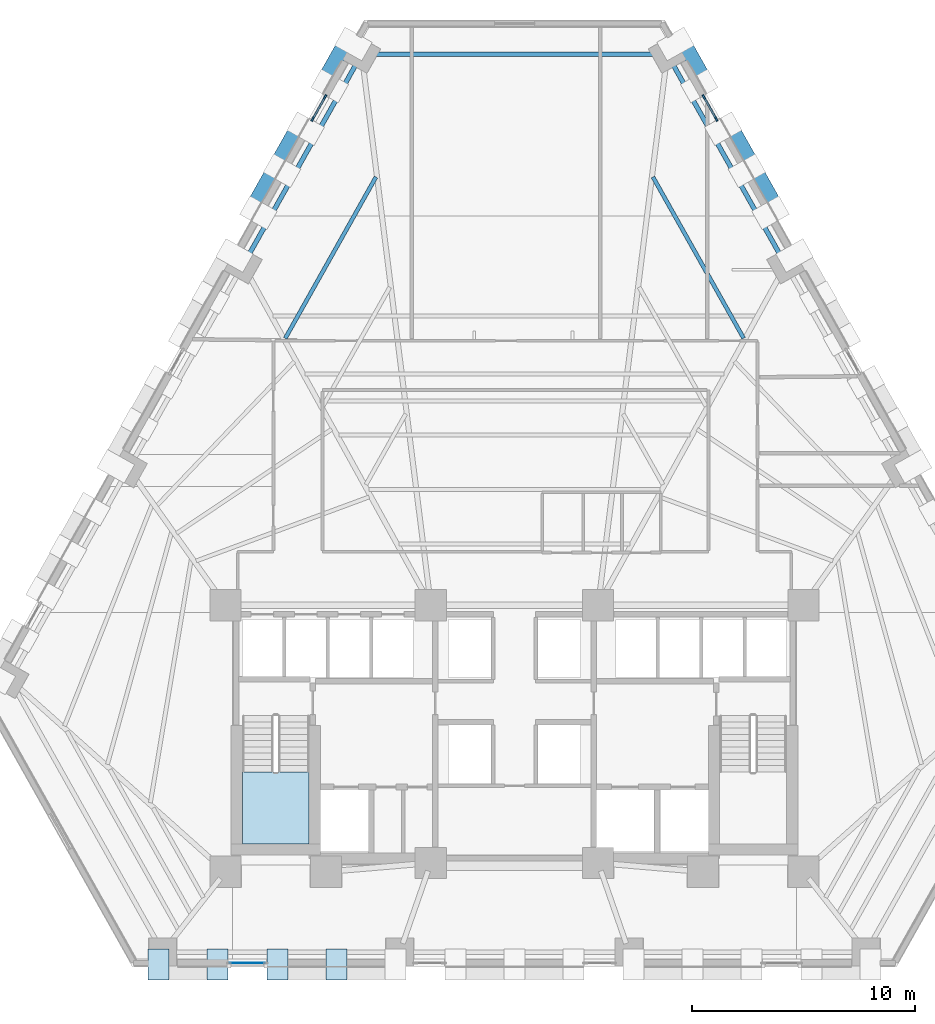
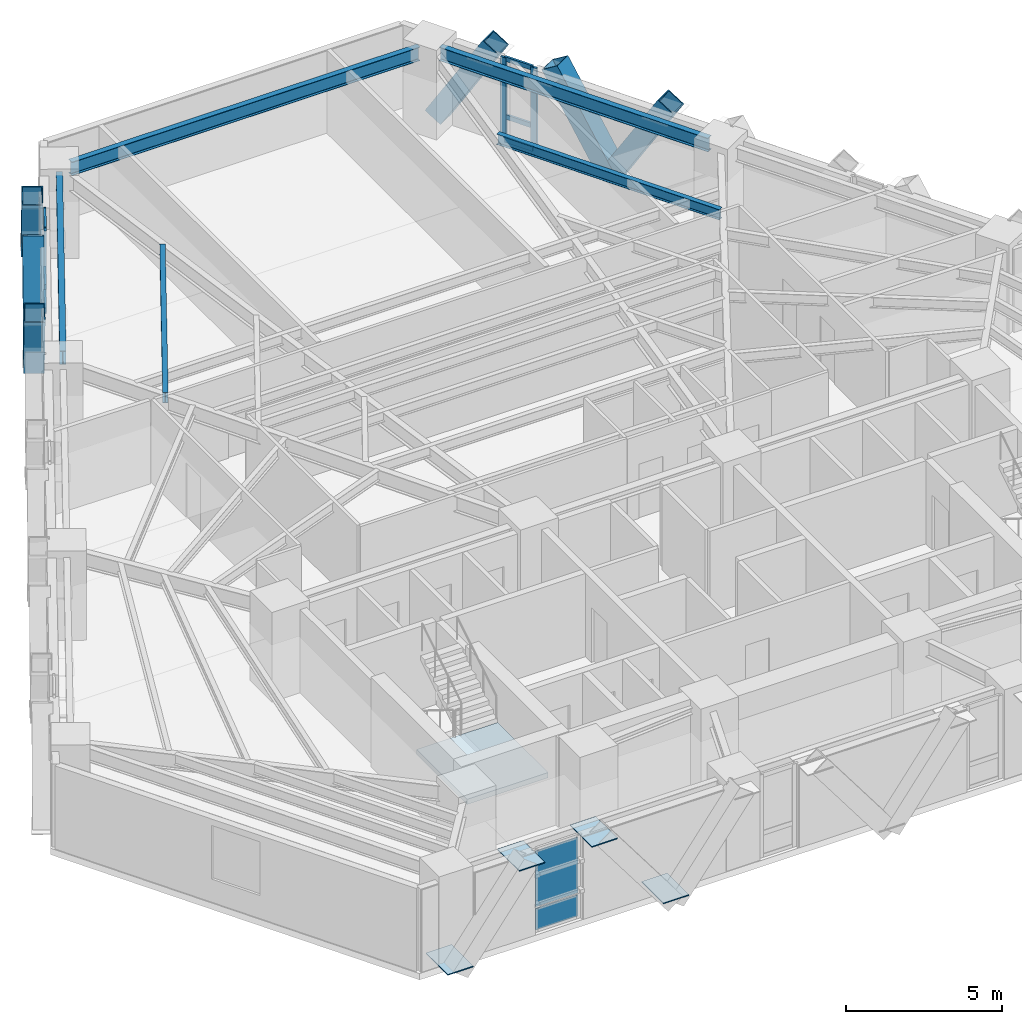
# One storey, part 5 of 13: 16 members, 6 plates, 5 beams, 1 slab, 4 elements without a shape of their own.
"""IFC4 building model written with IfcOpenShell, lengths in metres."""

from ifc_helpers import new_model, si_unit, direction, frame, origin, origin_2d, place, context, subcontext, project, spatial, polyline, rectangle, hollow_rectangle, i_section, outline, extrude, material, layer, layer_set, material_profile, profile_set, type_object, element, aggregate, save


model = new_model("IFC4")

# Units and contexts
model_context = context("Model", 3, precision=1e-05, world=origin(), true_north=direction((0.0, 1.0)))
body_context = subcontext(model_context, "Body", "Model", "MODEL_VIEW")
ifc_project = project(units=[si_unit("LENGTHUNIT", "METRE"), si_unit("AREAUNIT", "SQUARE_METRE"), si_unit("VOLUMEUNIT", "CUBIC_METRE"), si_unit("PLANEANGLEUNIT", "RADIAN"), si_unit("MASSUNIT", "GRAM", prefix="KILO")], contexts=[model_context])

# Site, building, storey
site_placement = place(None, origin())
site = spatial("IfcSite", under=ifc_project, at=site_placement, CompositionType="ELEMENT")
building_placement = place(site_placement, origin())
building = spatial("IfcBuilding", under=site, at=building_placement, Name="Quenlor Broadcast Tower", CompositionType="ELEMENT")
storey_placement = place(building_placement, frame((0.0, 0.0, 69.60009765625)))
storey = spatial("IfcBuildingStorey", under=building, at=storey_placement, Name="L18", CompositionType="ELEMENT", Elevation=69.60009765625)

# Curtain wall, members
ifc_material_1 = material(Name="Architectural Terracotta and Low-E Glazing", Category="masonry")
curtain_wall_type = type_object("IfcCurtainWallType", Name="Unitised Terracotta Curtain Wall System Z1", PredefinedType="NOTDEFINED", material=ifc_material_1)
curtain_wall_1_placement = place(storey_placement, origin())
curtain_wall_1 = element("IfcCurtainWall", 1, at=curtain_wall_1_placement, inside=storey, type_object=curtain_wall_type, Name="L18 Curtain Wall CW1 (L18-NEA-G1)", PredefinedType="NOTDEFINED")
ifc_material_2 = material(Name="Aluminium 6063-T6", Category="aluminium")
ifc_material_profile_1 = material_profile(ifc_material_2, rectangle(XDim=0.080078125, YDim=0.219970703125, at=origin_2d()))
ifc_profile_set_1 = profile_set([ifc_material_profile_1], Name="Aluminium 6063-T6 MULL80x220")
member_type_1 = type_object("IfcMemberType", Name="CW1 Aluminium Mullion MULL_CW1", PredefinedType="MULLION", material=ifc_profile_set_1)
member_1_placement = place(storey_placement, frame((8.489990234375, 17.97998046875, 0.0), z_axis=(0.0, 0.0, 1.0), x_axis=(0.871566703483, 0.490276943553, 0.0)))
member_1 = element("IfcMember", 2, at=member_1_placement, type_object=member_type_1, Name="CW1 mullion 1", PredefinedType="MULLION", context=body_context, shape_type="SweptSolid", body=[
    extrude(rectangle(XDim=0.080078125, YDim=0.219970703125, at=origin_2d()), origin(), (0.0, 0.0, 1.0), 3.25),
])
member_2_placement = place(storey_placement, frame((9.043701171875, 16.995849609375, 0.0), z_axis=(0.0, 0.0, 1.0), x_axis=(0.871566703483, 0.490276943553, 0.0)))
member_2 = element("IfcMember", 3, at=member_2_placement, type_object=member_type_1, Name="CW1 mullion 2", PredefinedType="MULLION", context=body_context, shape_type="SweptSolid", body=[
    extrude(rectangle(XDim=0.080078125, YDim=0.219970703125, at=origin_2d()), origin(), (0.0, 0.0, 1.0), 3.25),
])

curtain_wall_2_placement = place(storey_placement, origin())
curtain_wall_2 = element("IfcCurtainWall", 4, at=curtain_wall_2_placement, inside=storey, type_object=curtain_wall_type, Name="L18 Curtain Wall CW1 (L18-NWC-G1)", PredefinedType="NOTDEFINED")
member_3_placement = place(storey_placement, frame((-9.043701171875, 16.995849609375, 0.0), z_axis=(0.0, 0.0, 1.0), x_axis=(-0.871566703483, 0.490276943553, 0.0)))
member_3 = element("IfcMember", 5, at=member_3_placement, type_object=member_type_1, Name="CW1 mullion 1", PredefinedType="MULLION", context=body_context, shape_type="SweptSolid", body=[
    extrude(rectangle(XDim=0.080078125, YDim=0.219970703125, at=origin_2d()), origin(), (0.0, 0.0, 1.0), 3.25),
])
member_4_placement = place(storey_placement, frame((-8.489990234375, 17.97998046875, 0.0), z_axis=(0.0, 0.0, 1.0), x_axis=(-0.871566703483, 0.490276943553, 0.0)))
member_4 = element("IfcMember", 6, at=member_4_placement, type_object=member_type_1, Name="CW1 mullion 2", PredefinedType="MULLION", context=body_context, shape_type="SweptSolid", body=[
    extrude(rectangle(XDim=0.080078125, YDim=0.219970703125, at=origin_2d()), origin(), (0.0, 0.0, 1.0), 3.25),
])

# Member
ifc_material_3 = material(Name="Aluminium 6063-T6", Category="aluminium")
ifc_material_profile_2 = material_profile(ifc_material_3, rectangle(XDim=0.080078125, YDim=0.179931640625, at=origin_2d()))
ifc_profile_set_2 = profile_set([ifc_material_profile_2], Name="Aluminium 6063-T6 TRAN80x180")
member_type_2 = type_object("IfcMemberType", Name="CW1 Aluminium Transom TRAN_CW1", PredefinedType="USERDEFINED", material=ifc_profile_set_2)
member_5_placement = place(storey_placement, frame((8.509765625, 17.945068359375, 0.039794921875), z_axis=(0.490239146026, -0.87158796441, 0.0), x_axis=(0.87158796441, 0.490239146026, 0.0)))
member_5 = element("IfcMember", 7, at=member_5_placement, type_object=member_type_2, Name="CW1 transom 1.1", ObjectType="TRANSOM", PredefinedType="USERDEFINED", context=body_context, shape_type="SweptSolid", body=[
    extrude(rectangle(XDim=0.080078125, YDim=0.179931640625, at=origin_2d()), origin(), (0.0, 0.0, 1.0), 1.04931640625),
])

member_6_placement = place(storey_placement, frame((8.509765625, 17.945068359375, 0.949951171875), z_axis=(0.490239146026, -0.87158796441, 0.0), x_axis=(0.87158796441, 0.490239146026, 0.0)))
member_6 = element("IfcMember", 8, at=member_6_placement, type_object=member_type_2, Name="CW1 transom 1.2", ObjectType="TRANSOM", PredefinedType="USERDEFINED", context=body_context, shape_type="SweptSolid", body=[
    extrude(rectangle(XDim=0.080078125, YDim=0.179931640625, at=origin_2d()), origin(), (0.0, 0.0, 1.0), 1.04931640625),
])

member_7_placement = place(storey_placement, frame((8.509765625, 17.945068359375, 3.2099609375), z_axis=(0.490239146026, -0.87158796441, 0.0), x_axis=(0.87158796441, 0.490239146026, 0.0)))
member_7 = element("IfcMember", 9, at=member_7_placement, type_object=member_type_2, Name="CW1 transom 1.3", ObjectType="TRANSOM", PredefinedType="USERDEFINED", context=body_context, shape_type="SweptSolid", body=[
    extrude(rectangle(XDim=0.080078125, YDim=0.179931640625, at=origin_2d()), origin(), (0.0, 0.0, 1.0), 1.04931640625),
])

aggregate(curtain_wall_1, [member_1, member_2, member_5, member_6, member_7])

member_8_placement = place(storey_placement, frame((-9.024169921875, 17.030517578125, 0.039794921875), z_axis=(0.490239146026, 0.87158796441, 0.0), x_axis=(-0.87158796441, 0.490239146026, 0.0)))
member_8 = element("IfcMember", 10, at=member_8_placement, type_object=member_type_2, Name="CW1 transom 1.1", ObjectType="TRANSOM", PredefinedType="USERDEFINED", context=body_context, shape_type="SweptSolid", body=[
    extrude(rectangle(XDim=0.080078125, YDim=0.179931640625, at=origin_2d()), origin(), (0.0, 0.0, 1.0), 1.04931640625),
])

member_9_placement = place(storey_placement, frame((-9.024169921875, 17.030517578125, 0.949951171875), z_axis=(0.490239146026, 0.87158796441, 0.0), x_axis=(-0.87158796441, 0.490239146026, 0.0)))
member_9 = element("IfcMember", 11, at=member_9_placement, type_object=member_type_2, Name="CW1 transom 1.2", ObjectType="TRANSOM", PredefinedType="USERDEFINED", context=body_context, shape_type="SweptSolid", body=[
    extrude(rectangle(XDim=0.080078125, YDim=0.179931640625, at=origin_2d()), origin(), (0.0, 0.0, 1.0), 1.04931640625),
])

member_10_placement = place(storey_placement, frame((-9.024169921875, 17.030517578125, 3.2099609375), z_axis=(0.490239146026, 0.87158796441, 0.0), x_axis=(-0.87158796441, 0.490239146026, 0.0)))
member_10 = element("IfcMember", 12, at=member_10_placement, type_object=member_type_2, Name="CW1 transom 1.3", ObjectType="TRANSOM", PredefinedType="USERDEFINED", context=body_context, shape_type="SweptSolid", body=[
    extrude(rectangle(XDim=0.080078125, YDim=0.179931640625, at=origin_2d()), origin(), (0.0, 0.0, 1.0), 1.04931640625),
])

aggregate(curtain_wall_2, [member_3, member_4, member_8, member_9, member_10])

# Members
ifc_material_4 = material(Name="Steel S355", Category="steel")
ifc_material_profile_3 = material_profile(ifc_material_4, hollow_rectangle(XDim=0.679931640625, YDim=0.679931640625, WallThickness=0.034912109375, at=origin_2d()))
ifc_profile_set_3 = profile_set([ifc_material_profile_3], Name="Steel S355 RHS680x680x35")
member_type_3 = type_object("IfcMemberType", Name="Perimeter Diagonal Lattice Brace Z1 Steel S355 RHS680x35", PredefinedType="BRACE", material=ifc_profile_set_3)
for number, where, z_axis, x_axis, name in (
    (13, (7.519287109375, 20.51171875, -0.1201171875), (0.256375341489, -0.45579159737, 0.852364771705), (0.871581609758, 0.490250443683, 0.0), "L18 Perimeter Diamond Lattice NE-C1S"),
    (14, (10.703125, 14.851318359375, -0.1201171875), (-0.256375341489, 0.45579159737, 0.852364771705), (-0.871581609758, -0.490250443683, 0.0), "L18 Perimeter Diamond Lattice NE-C1B"),
    (15, (10.716064453125, 14.82861328125, -0.1201171875), (0.256375341489, -0.45579159737, 0.852364771705), (0.871581609758, 0.490250443683, 0.0), "L18 Perimeter Diamond Lattice NE-C2S"),
    (16, (-10.716064453125, 14.82861328125, -0.1201171875), (-0.256375341489, -0.45579159737, 0.852364771705), (0.871581609758, -0.490250443683, 0.0), "L18 Perimeter Diamond Lattice NW-C4B"),
    (17, (-10.703125, 14.851318359375, -0.1201171875), (0.256375341489, 0.45579159737, 0.852364771705), (-0.871581609758, 0.490250443683, 0.0), "L18 Perimeter Diamond Lattice NW-C5S"),
    (18, (-7.519287109375, 20.51171875, -0.1201171875), (-0.256375341489, -0.45579159737, 0.852364771705), (0.871581609758, -0.490250443683, 0.0), "L18 Perimeter Diamond Lattice NW-C5B"),
):
    element("IfcMember", number, at=place(storey_placement, frame(where, z_axis=z_axis, x_axis=x_axis)), inside=storey, type_object=member_type_3, Name=name, PredefinedType="BRACE", context=body_context, shape_type="SweptSolid", body=[
        extrude(hollow_rectangle(XDim=0.679931640625, YDim=0.679931640625, WallThickness=0.034912109375, at=origin_2d()), origin(), (0.0, 0.0, 1.0), 4.106201171875),
    ])

# Beams
ifc_material_5 = material(Name="Steel S355", Category="steel")
ifc_material_profile_4 = material_profile(ifc_material_5, i_section(OverallWidth=0.208984375, OverallDepth=0.532958984375, WebThickness=0.01025390625, FlangeThickness=0.015625, FilletRadius=0.013916015625, at=origin_2d()))
ifc_profile_set_4 = profile_set([ifc_material_profile_4], Name="Steel S355 530UB92.4")
beam_type_1 = type_object("IfcBeamType", Name="Perimeter Spandrel Beam Z1 Steel S355 530UB92.4", PredefinedType="SPANDREL", material=ifc_profile_set_4)
beam_1_placement = place(storey_placement, frame((11.962158203125, 10.80810546875, 2.9833984375), z_axis=(-0.490257767622, 0.871577490121, 0.0), x_axis=(-0.871577490121, -0.490257767622, 0.0)))
element("IfcBeam", 19, at=beam_1_placement, inside=storey, type_object=beam_type_1, Name="L18 Spandrel Beam NE3-NE4", PredefinedType="SPANDREL", context=body_context, shape_type="SweptSolid", body=[
    extrude(i_section(OverallWidth=0.208984375, OverallDepth=0.532958984375, WebThickness=0.01025390625, FlangeThickness=0.015625, FilletRadius=0.013916015625, at=origin_2d()), origin(), (0.0, 0.0, 1.0), 10.015380859375),
])
beam_2_placement = place(storey_placement, frame((6.44091796875, 19.894775390625, 2.9833984375), z_axis=(-1.0, 0.0, 0.0), x_axis=(0.0, -1.0, 0.0)))
element("IfcBeam", 20, at=beam_2_placement, inside=storey, type_object=beam_type_1, Name="L18 Spandrel Beam NE4-NW1", PredefinedType="SPANDREL", context=body_context, shape_type="SweptSolid", body=[
    extrude(i_section(OverallWidth=0.208984375, OverallDepth=0.532958984375, WebThickness=0.01025390625, FlangeThickness=0.015625, FilletRadius=0.013916015625, at=origin_2d()), origin(), (0.0, 0.0, 1.0), 12.8818359375),
])
beam_3_placement = place(storey_placement, frame((-7.052001953125, 19.537353515625, 2.9833984375), z_axis=(-0.490257767622, -0.871577490121, 0.0), x_axis=(0.871577490121, -0.490257767622, 0.0)))
element("IfcBeam", 21, at=beam_3_placement, inside=storey, type_object=beam_type_1, Name="L18 Spandrel Beam NW1-NW2", PredefinedType="SPANDREL", context=body_context, shape_type="SweptSolid", body=[
    extrude(i_section(OverallWidth=0.208984375, OverallDepth=0.532958984375, WebThickness=0.01025390625, FlangeThickness=0.015625, FilletRadius=0.013916015625, at=origin_2d()), origin(), (0.0, 0.0, 1.0), 10.015380859375),
])
ifc_material_6 = material(Name="Steel S355", Category="steel")
ifc_material_profile_5 = material_profile(ifc_material_6, i_section(OverallWidth=0.177978515625, OverallDepth=0.406494140625, WebThickness=0.0078125, FlangeThickness=0.0126953125, FilletRadius=0.011474609375, at=origin_2d()))
ifc_profile_set_5 = profile_set([ifc_material_profile_5], Name="Steel S355 410UB59.7")
beam_type_2 = type_object("IfcBeamType", Name="Tower Composite Joist Z1 Steel S355 410UB59.7", PredefinedType="JOIST", material=ifc_profile_set_5)
for number, where, z_axis, x_axis, name in (
    (22, (-6.2080078125, 14.39208984375, 3.046630859375), (-0.490248658014, -0.871582614166, 0.0), (0.871582614166, -0.490248658014, 0.0), "L18 Secondary Composite Joist 27"),
    (23, (6.2080078125, 14.39208984375, 3.046630859375), (0.490248658014, -0.871582614166, 0.0), (0.871582614166, 0.490248658014, 0.0), "L18 Secondary Composite Joist 30"),
):
    element("IfcBeam", number, at=place(storey_placement, frame(where, z_axis=z_axis, x_axis=x_axis)), inside=storey, type_object=beam_type_2, Name=name, PredefinedType="JOIST", context=body_context, shape_type="SweptSolid", body=[
        extrude(i_section(OverallWidth=0.177978515625, OverallDepth=0.406494140625, WebThickness=0.0078125, FlangeThickness=0.0126953125, FilletRadius=0.011474609375, at=origin_2d()), origin(), (0.0, 0.0, 1.0), 8.29150390625),
    ])

# Curtain wall, plates
curtain_wall_3_placement = place(storey_placement, origin())
curtain_wall_3 = element("IfcCurtainWall", 24, at=curtain_wall_3_placement, inside=storey, type_object=curtain_wall_type, Name="L18 Curtain Wall CW1 (L18-SC-G1)", PredefinedType="NOTDEFINED")
ifc_material_7 = material(Name="Double Glazed Low-E Solar Glass", Category="glass")
ifc_layer_1 = layer(ifc_material_7, 0.031982421875)
ifc_layer_set_1 = layer_set([ifc_layer_1], Name="CW1 Double Glazed Vision Panel 32")
plate_type_1 = type_object("IfcPlateType", Name="CW1 Double Glazed Vision Panel 32", PredefinedType="CURTAIN_PANEL", material=ifc_layer_set_1)
plate_1_placement = place(storey_placement, frame((-11.970703125, -20.840087890625, 0.079833984375), z_axis=(0.0, 0.0, 1.0), x_axis=(-1.0, 0.0, 0.0)))
plate_1 = element("IfcPlate", 25, at=plate_1_placement, type_object=plate_type_1, Name="CW1 panel 1.1", PredefinedType="CURTAIN_PANEL", context=body_context, shape_type="SweptSolid", body=[
    extrude(rectangle(XDim=1.568359375, YDim=0.031982421875, at=origin_2d()), origin(), (0.0, 0.0, 1.0), 0.830078125),
])
plate_2_placement = place(storey_placement, frame((-11.970703125, -20.840087890625, 0.98974609375), z_axis=(0.0, 0.0, 1.0), x_axis=(-1.0, 0.0, 0.0)))
plate_2 = element("IfcPlate", 26, at=plate_2_placement, type_object=plate_type_1, Name="CW1 panel 1.2", PredefinedType="CURTAIN_PANEL", context=body_context, shape_type="SweptSolid", body=[
    extrude(rectangle(XDim=1.568359375, YDim=0.031982421875, at=origin_2d()), origin(), (0.0, 0.0, 1.0), 2.179931640625),
])
aggregate(curtain_wall_3, [plate_1, plate_2])

# Stair, slab
ifc_material_8 = material(Name="Precast concrete C40/50", Category="concrete")
stair_type = type_object("IfcStairType", Name="Precast Concrete C40/50 Dogleg Stair H350", PredefinedType="HALF_TURN_STAIR", material=ifc_material_8)
stair_placement = place(storey_placement, origin())
stair = element("IfcStair", 27, at=stair_placement, inside=storey, type_object=stair_type, Name="L18 West Core Fire-Isolated Exit Stair ST-1", PredefinedType="HALF_TURN_STAIR")
ifc_material_9 = material(Name="Precast concrete C40/50", Category="concrete")
ifc_layer_2 = layer(ifc_material_9, 0.199951171875)
ifc_layer_set_2 = layer_set([ifc_layer_2], Name="Precast Concrete C40/50 Stair Landing Slab 200")
slab_type = type_object("IfcSlabType", Name="Precast Concrete C40/50 Stair Landing Slab 200", PredefinedType="LANDING", material=ifc_layer_set_2)
slab_placement = place(storey_placement, frame((0.0, 0.0, 1.5498046875)))
slab = element("IfcSlab", 28, at=slab_placement, type_object=slab_type, Name="ST-1 landing 1", PredefinedType="LANDING", context=body_context, shape_type="SweptSolid", body=[
    extrude(outline(polyline([(-12.199951171875, -12.27001953125), (-12.199951171875, -15.5), (-9.199951171875, -15.5), (-9.199951171875, -12.27001953125), (-12.199951171875, -12.27001953125)])), origin(), (0.0, 0.0, 1.0), 0.2001953125),
])
aggregate(stair, [slab])

# Plates
ifc_material_10 = material(Name="Steel S355", Category="steel")
ifc_layer_3 = layer(ifc_material_10, 0.035888671875)
ifc_layer_set_3 = layer_set([ifc_layer_3], Name="Transfer Truss Steel S355 Gusset Node Plate 1400x950x36")
plate_type_2 = type_object("IfcPlateType", Name="Transfer Truss Steel S355 Gusset Node Plate 1400x950x36", PredefinedType="SHEET", material=ifc_layer_set_3)
for number, where, z_axis, x_axis, name in (
    (29, (-7.98046875, -20.89990234375, 0.0419921875), (0.0, 0.0, 1.0), (0.0, -1.0, 0.0), "L18 Lattice Tie Gusset Node S-B9"),
    (30, (-10.624755859375, -20.89990234375, 3.18212890625), (0.0, 0.0, 1.0), (0.0, -1.0, 0.0), "L18 Lattice Tie Gusset Node S-T10"),
    (31, (-15.9609375, -20.89990234375, 0.0419921875), (0.0, 0.0, 1.0), (0.0, -1.0, 0.0), "L18 Lattice Tie Gusset Node S-B12"),
    (32, (-13.31689453125, -20.89990234375, 3.18212890625), (0.0, 0.0, 1.0), (0.0, -1.0, 0.0), "L18 Lattice Tie Gusset Node S-T11"),
):
    element("IfcPlate", number, at=place(storey_placement, frame(where, z_axis=z_axis, x_axis=x_axis)), inside=storey, type_object=plate_type_2, Name=name, PredefinedType="SHEET", context=body_context, shape_type="SweptSolid", body=[
        extrude(rectangle(XDim=1.39990234375, YDim=0.949951171875, at=origin_2d()), origin(), (0.0, 0.0, 1.0), 0.035888671875),
    ])

save(model, "model.ifc")
